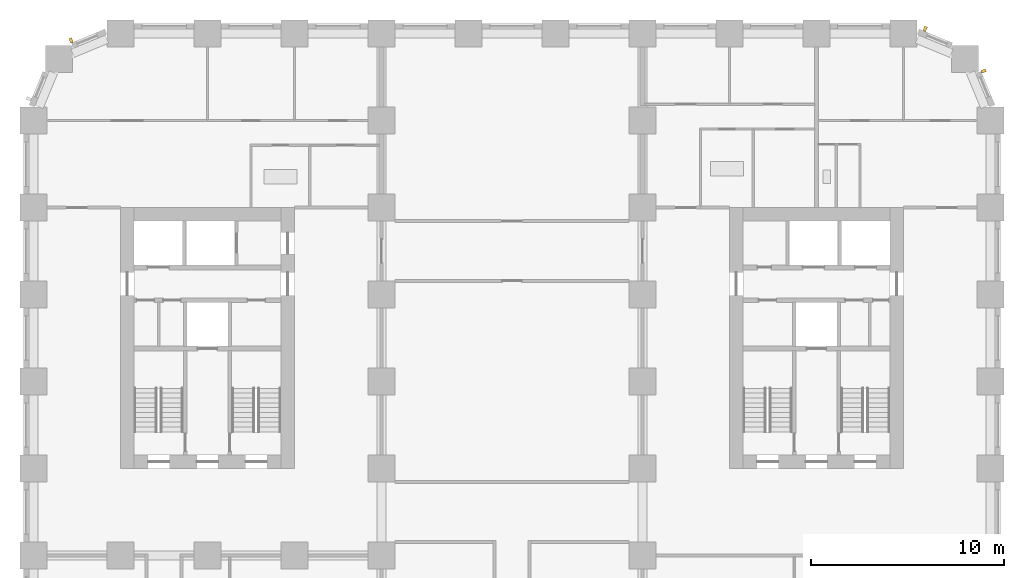
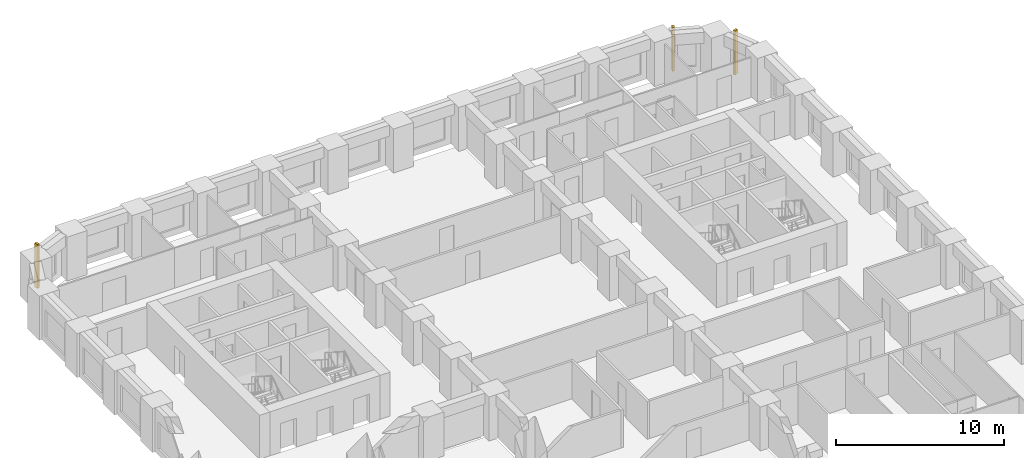
# One storey, part 11 of 12: 3 shading devices.
"""IFC4 building model written with IfcOpenShell, lengths in metres."""

from ifc_helpers import new_model, si_unit, direction, frame, origin, origin_2d, place, context, subcontext, project, spatial, rectangle, extrude, material, type_object, element, save


model = new_model("IFC4")

# Units and contexts
model_context = context("Model", 3, precision=1e-05, world=origin(), true_north=direction((0.0, 1.0)))
body_context = subcontext(model_context, "Body", "Model", "MODEL_VIEW")
ifc_project = project(units=[si_unit("LENGTHUNIT", "METRE"), si_unit("AREAUNIT", "SQUARE_METRE"), si_unit("VOLUMEUNIT", "CUBIC_METRE"), si_unit("PLANEANGLEUNIT", "RADIAN"), si_unit("MASSUNIT", "GRAM", prefix="KILO")], contexts=[model_context])

# Site, building, storey
site_placement = place(None, origin())
site = spatial("IfcSite", under=ifc_project, at=site_placement, CompositionType="ELEMENT")
building_placement = place(site_placement, origin())
building = spatial("IfcBuilding", under=site, at=building_placement, Name="Girih Gate Residences", CompositionType="ELEMENT")
storey_placement = place(building_placement, frame((0.0, 0.0, 68.800048828125)))
storey = spatial("IfcBuildingStorey", under=building, at=storey_placement, Name="L18", CompositionType="ELEMENT", Elevation=68.800048828125)

# Shading devices
ifc_material = material(Name="Precast concrete C50/60", Category="concrete")
shading_device_type = type_object("IfcShadingDeviceType", Name="Corner rib 150x250", PredefinedType="USERDEFINED", material=ifc_material)
for number, where, z_axis, x_axis, name in (
    (1, (49.14501953125, 47.5556640625, 0.0), (0.0, 0.0, 1.0), (-0.382683432365, 0.923879532511, 0.0), "Corner rib NE0495_0450.0"),
    (2, (46.123779296875, 49.738037109375, 0.0), (0.0, 0.0, 1.0), (-0.923879532511, 0.382683432365, 0.0), "Corner rib NE0482_0482.0"),
    (3, (1.9443359375, 49.14501953125, 0.0), (0.0, 0.0, 1.0), (-0.923879532511, -0.382683432365, 0.0), "Corner rib NW0045_0495.0"),
):
    element("IfcShadingDevice", number, at=place(storey_placement, frame(where, z_axis=z_axis, x_axis=x_axis)), inside=storey, type_object=shading_device_type, Name=name, ObjectType="FIN", PredefinedType="USERDEFINED", context=body_context, shape_type="SweptSolid", body=[
        extrude(rectangle(XDim=0.14990234375, YDim=0.25, at=origin_2d()), origin(), (0.0, 0.0, 1.0), 3.199951171875),
    ])

save(model, "model.ifc")
